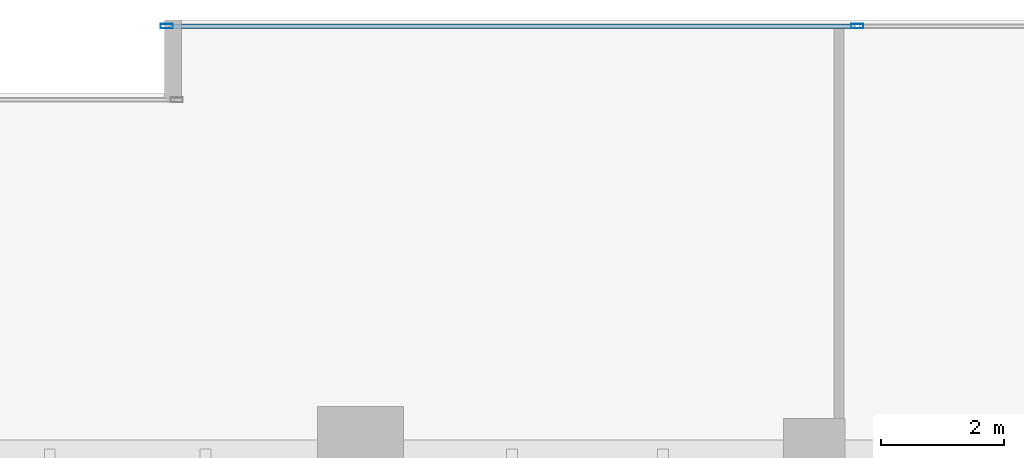
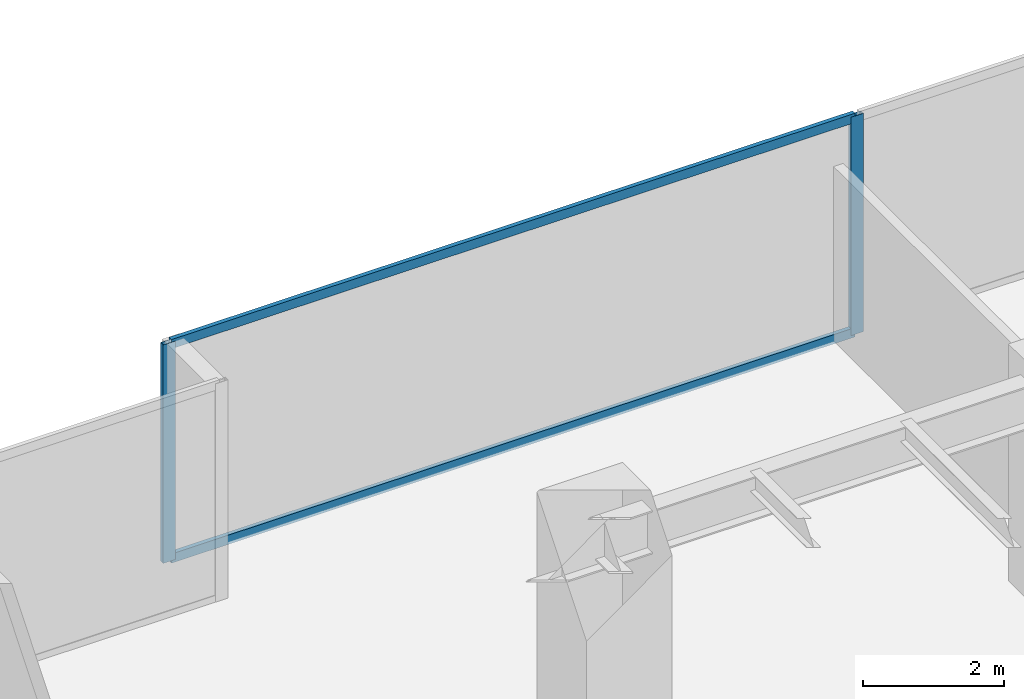
# One storey, part 22 of 35: 4 members, 1 element without a shape of its own.
"""IFC4 building model written with IfcOpenShell, lengths in metres."""

from ifc_helpers import new_model, si_unit, direction, frame, origin, origin_2d, place, context, subcontext, project, spatial, hollow_rectangle, extrude, source, transform, mapped, material, layer, layer_set, material_profile, profile_set, type_object, type_shapes, element, aggregate, save


model = new_model("IFC4")

# Units and contexts
model_context = context("Model", 3, precision=1e-05, world=origin(), true_north=direction((0.0, 1.0)))
body_context = subcontext(model_context, "Body", "Model", "MODEL_VIEW")
ifc_project = project(units=[si_unit("LENGTHUNIT", "METRE"), si_unit("AREAUNIT", "SQUARE_METRE"), si_unit("VOLUMEUNIT", "CUBIC_METRE"), si_unit("PLANEANGLEUNIT", "RADIAN"), si_unit("MASSUNIT", "GRAM", prefix="KILO")], contexts=[model_context])

# Site, building, storey
site_placement = place(None, origin())
site = spatial("IfcSite", under=ifc_project, at=site_placement, CompositionType="ELEMENT")
building_placement = place(site_placement, origin())
building = spatial("IfcBuilding", under=site, at=building_placement, Name="Haelvirn Gate Laboratories", CompositionType="ELEMENT")
storey_placement = place(building_placement, frame((0.0, 0.0, 70.300048828125)))
storey = spatial("IfcBuildingStorey", under=building, at=storey_placement, Name="L17", CompositionType="ELEMENT", Elevation=70.300048828125)

# Curtain wall, members
ifc_material_1 = material(Name="Anodised bronze unitised aluminium & triple low-E glass", Category="aluminium")
ifc_layer = layer(ifc_material_1, 0.18408203125, Name="CW-SYS-2")
ifc_layer_set = layer_set([ifc_layer], Name="Anodised bronze unitised aluminium & triple low-E glass")
curtain_wall_type = type_object("IfcCurtainWallType", Name="CW-SYS-2", PredefinedType="NOTDEFINED", material=ifc_layer_set)
curtain_wall_placement = place(storey_placement, origin())
curtain_wall = element("IfcCurtainWall", 1, at=curtain_wall_placement, inside=storey, type_object=curtain_wall_type, Name="L17 Unitised Curtain Wall CW-L17-P0-E10-1", PredefinedType="NOTDEFINED")
ifc_material_2 = material(Name="Extruded aluminium 6063-T6 (anodised bronze)", Category="aluminium")
ifc_material_profile_1 = material_profile(ifc_material_2, hollow_rectangle(XDim=0.074951171875, YDim=0.199951171875, WallThickness=0.0048828125, at=origin_2d()), Name="CWM-200x75x5")
ifc_profile_set_1 = profile_set([ifc_material_profile_1], Name="Extruded aluminium 6063-T6 (anodised bronze)")
member_type_1 = type_object("IfcMemberType", Name="CWM-T200", PredefinedType="MULLION", material=ifc_profile_set_1)
shared_shape_1 = source(origin(), body_context, "Body", "SweptSolid", [
    extrude(hollow_rectangle(XDim=0.074951171875, YDim=0.199951171875, WallThickness=0.0048828125, at=origin_2d()), origin(), (0.0, 0.0, 1.0), 3.780029296875),
])
type_shapes(member_type_1, [shared_shape_1])
member_1_placement = place(storey_placement, frame((49.4375, 48.5, 0.0), z_axis=(0.0, 0.0, 1.0), x_axis=(0.0, 1.0, 0.0)))
member_1 = element("IfcMember", 2, at=member_1_placement, type_object=member_type_1, Name="CW2 mullion 1", PredefinedType="MULLION", context=body_context, shape_type="MappedRepresentation", body=[
    mapped(shared_shape_1, transform((0.0, 0.0, 0.0), scale=1.0)),
])
member_2_placement = place(storey_placement, frame((60.699951171875, 48.5, 0.0), z_axis=(0.0, 0.0, 1.0), x_axis=(0.0, 1.0, 0.0)))
member_2 = element("IfcMember", 3, at=member_2_placement, type_object=member_type_1, Name="CW2 mullion 2", PredefinedType="MULLION", context=body_context, shape_type="MappedRepresentation", body=[
    mapped(shared_shape_1, transform((0.0, 0.0, 0.0), scale=1.0)),
])
ifc_material_profile_2 = material_profile(ifc_material_2, hollow_rectangle(XDim=0.070068359375, YDim=0.159912109375, WallThickness=0.0048828125, at=origin_2d()), Name="CWT-160x70x5")
ifc_profile_set_2 = profile_set([ifc_material_profile_2], Name="Extruded aluminium 6063-T6 (anodised bronze)")
member_type_2 = type_object("IfcMemberType", Name="CWT-T160", PredefinedType="USERDEFINED", material=ifc_profile_set_2)
shared_shape_2 = source(origin(), body_context, "Body", "SweptSolid", [
    extrude(hollow_rectangle(XDim=0.070068359375, YDim=0.159912109375, WallThickness=0.0048828125, at=origin_2d()), origin(), (0.0, 0.0, 1.0), 11.1875),
])
type_shapes(member_type_2, [shared_shape_2])
member_3_placement = place(storey_placement, frame((49.47509765625, 48.5, 0.034912109375), z_axis=(1.0, 0.0, 0.0), x_axis=(0.0, 1.0, 0.0)))
member_3 = element("IfcMember", 4, at=member_3_placement, type_object=member_type_2, Name="CW2 transom 1.1", ObjectType="TRANSOM", PredefinedType="USERDEFINED", context=body_context, shape_type="MappedRepresentation", body=[
    mapped(shared_shape_2, transform((0.0, 0.0, 0.0), scale=1.0)),
])
member_4_placement = place(storey_placement, frame((49.47509765625, 48.5, 3.744873046875), z_axis=(1.0, 0.0, 0.0), x_axis=(0.0, 1.0, 0.0)))
member_4 = element("IfcMember", 5, at=member_4_placement, type_object=member_type_2, Name="CW2 transom 1.2", ObjectType="TRANSOM", PredefinedType="USERDEFINED", context=body_context, shape_type="MappedRepresentation", body=[
    mapped(shared_shape_2, transform((0.0, 0.0, 0.0), scale=1.0)),
])
aggregate(curtain_wall, [member_1, member_2, member_3, member_4])

save(model, "model.ifc")
